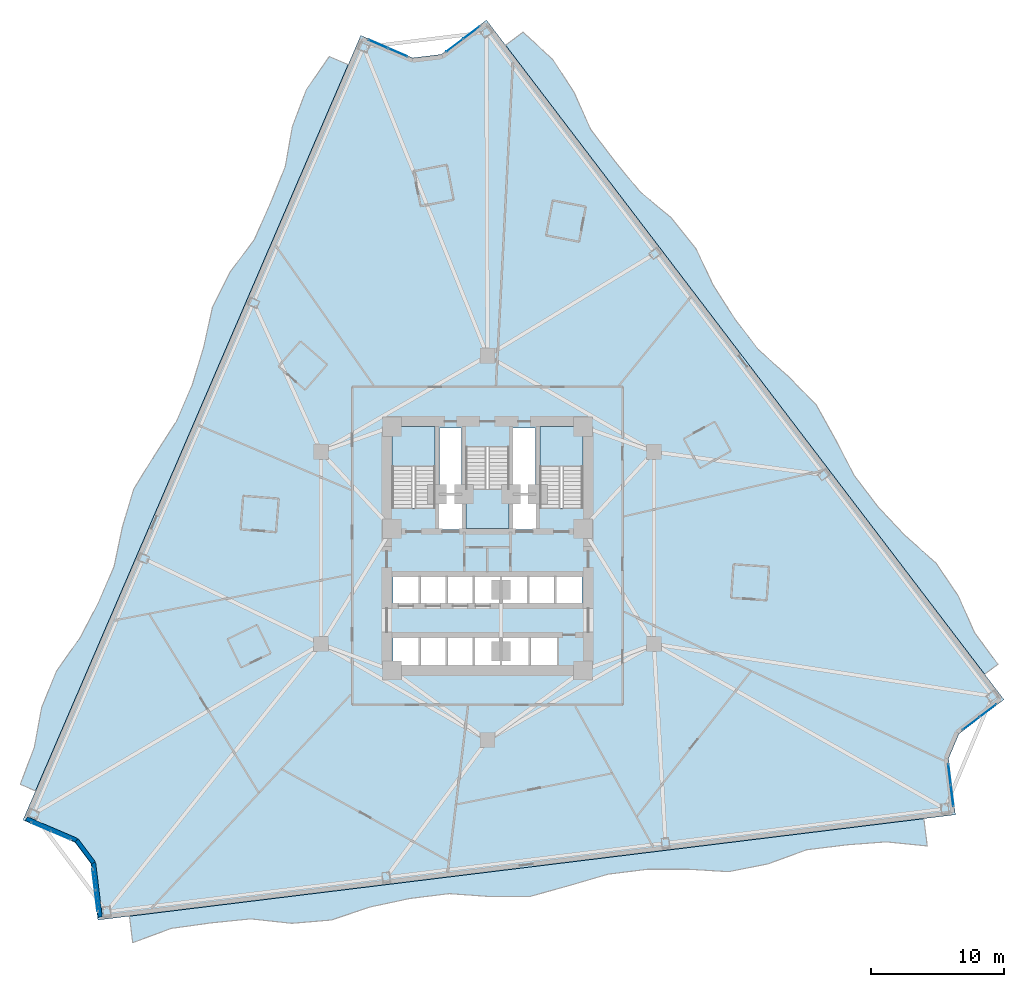
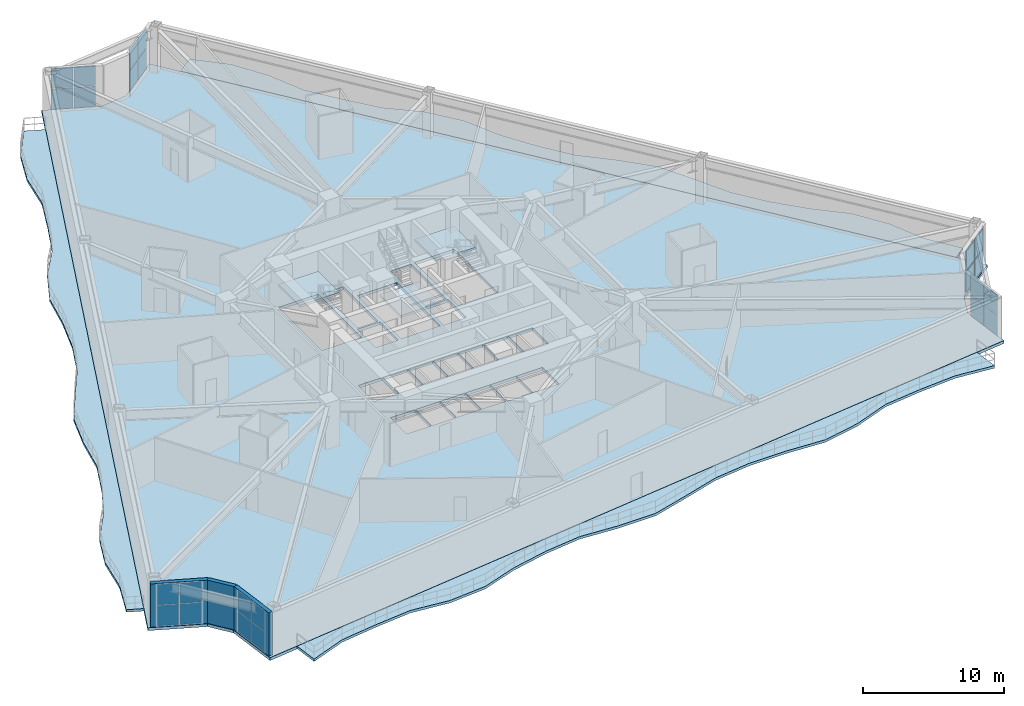
# One storey, part 6 of 17: 24 plates, 7 slabs, 3 walls, 9 elements without a shape of their own.
"""IFC4 building model written with IfcOpenShell, lengths in metres."""

from ifc_helpers import new_model, si_unit, direction, frame, frame_2d, origin, origin_2d, place, context, subcontext, project, spatial, polyline, rectangle, outline, extrude, material, layer, layer_set, type_object, element, aggregate, save


model = new_model("IFC4")

# Units and contexts
model_context = context("Model", 3, precision=1e-05, world=origin(), true_north=direction((0.0, 1.0)))
body_context = subcontext(model_context, "Body", "Model", "MODEL_VIEW")
ifc_project = project(units=[si_unit("LENGTHUNIT", "METRE"), si_unit("AREAUNIT", "SQUARE_METRE"), si_unit("VOLUMEUNIT", "CUBIC_METRE"), si_unit("PLANEANGLEUNIT", "RADIAN"), si_unit("MASSUNIT", "GRAM", prefix="KILO")], contexts=[model_context])

# Site, building, storey
site_placement = place(None, origin())
site = spatial("IfcSite", under=ifc_project, at=site_placement, CompositionType="ELEMENT")
building_placement = place(site_placement, origin())
building = spatial("IfcBuilding", under=site, at=building_placement, Name="Apsidion Concourse Tower", CompositionType="ELEMENT")
storey_placement = place(building_placement, frame((0.0, 0.0, 75.0)))
storey = spatial("IfcBuildingStorey", under=building, at=storey_placement, Name="L16", CompositionType="ELEMENT", Elevation=75.0)

# Curtain wall, plates
ifc_material_1 = material(Name="Insulated laminated low-E glass", Category="glass")
ifc_layer_1 = layer(ifc_material_1, 0.219970703125)
ifc_layer_set_1 = layer_set([ifc_layer_1], Name="Insulated laminated low-E glass")
curtain_wall_type = type_object("IfcCurtainWallType", Name="CW-SYS-04", PredefinedType="NOTDEFINED", material=ifc_layer_set_1)
curtain_wall_1_placement = place(storey_placement, origin())
curtain_wall_1 = element("IfcCurtainWall", 1, at=curtain_wall_1_placement, inside=storey, type_object=curtain_wall_type, Name="L16 Corner Lounge Box Curtain Wall 2", PredefinedType="NOTDEFINED")
ifc_layer_2 = layer(ifc_material_1, 0.031982421875)
ifc_layer_set_2 = layer_set([ifc_layer_2], Name="Insulated laminated low-E glass")
plate_type = type_object("IfcPlateType", Name="CWP-GLZ-32", PredefinedType="CURTAIN_PANEL", material=ifc_layer_set_2)
plate_1_placement = place(storey_placement, frame((37.77685546875, -12.270263671875, 0.06494140625), z_axis=(0.0, 0.0, 1.0), x_axis=(-0.795556126473, -0.605879897035, 0.0)))
plate_1 = element("IfcPlate", 2, at=plate_1_placement, type_object=plate_type, Name="CW-04 panel 1.1", PredefinedType="CURTAIN_PANEL", context=body_context, shape_type="SweptSolid", body=[
    extrude(rectangle(XDim=1.5537109375, YDim=0.031982421875, at=origin_2d()), origin(), (0.0, 0.0, 1.0), 1.75244140625),
])
plate_2_placement = place(storey_placement, frame((37.77685546875, -12.270263671875, 1.882568359375), z_axis=(0.0, 0.0, 1.0), x_axis=(-0.795556126473, -0.605879897035, 0.0)))
plate_2 = element("IfcPlate", 3, at=plate_2_placement, type_object=plate_type, Name="CW-04 panel 1.2", PredefinedType="CURTAIN_PANEL", context=body_context, shape_type="SweptSolid", body=[
    extrude(rectangle(XDim=1.5537109375, YDim=0.031982421875, at=origin_2d()), origin(), (0.0, 0.0, 1.0), 1.75244140625),
])
plate_3_placement = place(storey_placement, frame((36.489013671875, -13.251220703125, 0.06494140625), z_axis=(0.0, 0.0, 1.0), x_axis=(-0.795556126473, -0.605879897035, 0.0)))
plate_3 = element("IfcPlate", 4, at=plate_3_placement, type_object=plate_type, Name="CW-04 panel 2.1", PredefinedType="CURTAIN_PANEL", context=body_context, shape_type="SweptSolid", body=[
    extrude(rectangle(XDim=1.5537109375, YDim=0.031982421875, at=origin_2d()), origin(), (0.0, 0.0, 1.0), 1.75244140625),
])
plate_4_placement = place(storey_placement, frame((36.489013671875, -13.251220703125, 1.882568359375), z_axis=(0.0, 0.0, 1.0), x_axis=(-0.795556126473, -0.605879897035, 0.0)))
plate_4 = element("IfcPlate", 5, at=plate_4_placement, type_object=plate_type, Name="CW-04 panel 2.2", PredefinedType="CURTAIN_PANEL", context=body_context, shape_type="SweptSolid", body=[
    extrude(rectangle(XDim=1.5537109375, YDim=0.031982421875, at=origin_2d()), origin(), (0.0, 0.0, 1.0), 1.75244140625),
])
aggregate(curtain_wall_1, [plate_1, plate_2, plate_3, plate_4])

curtain_wall_2_placement = place(storey_placement, origin())
curtain_wall_2 = element("IfcCurtainWall", 6, at=curtain_wall_2_placement, inside=storey, type_object=curtain_wall_type, Name="L16 Corner Lounge Box Curtain Wall 4", PredefinedType="NOTDEFINED")
plate_5_placement = place(storey_placement, frame((34.86962890625, -17.09326171875, 0.06494140625), z_axis=(0.0, 0.0, 1.0), x_axis=(0.121876648162, -0.992545254703, 0.0)))
plate_5 = element("IfcPlate", 7, at=plate_5_placement, type_object=plate_type, Name="CW-04 panel 1.1", PredefinedType="CURTAIN_PANEL", context=body_context, shape_type="SweptSolid", body=[
    extrude(rectangle(XDim=1.5537109375, YDim=0.031982421875, at=origin_2d()), origin(), (0.0, 0.0, 1.0), 1.75244140625),
])
plate_6_placement = place(storey_placement, frame((34.86962890625, -17.09326171875, 1.882568359375), z_axis=(0.0, 0.0, 1.0), x_axis=(0.121876648162, -0.992545254703, 0.0)))
plate_6 = element("IfcPlate", 8, at=plate_6_placement, type_object=plate_type, Name="CW-04 panel 1.2", PredefinedType="CURTAIN_PANEL", context=body_context, shape_type="SweptSolid", body=[
    extrude(rectangle(XDim=1.5537109375, YDim=0.031982421875, at=origin_2d()), origin(), (0.0, 0.0, 1.0), 1.75244140625),
])
plate_7_placement = place(storey_placement, frame((35.06689453125, -18.699951171875, 0.06494140625), z_axis=(0.0, 0.0, 1.0), x_axis=(0.121876648162, -0.992545254703, 0.0)))
plate_7 = element("IfcPlate", 9, at=plate_7_placement, type_object=plate_type, Name="CW-04 panel 2.1", PredefinedType="CURTAIN_PANEL", context=body_context, shape_type="SweptSolid", body=[
    extrude(rectangle(XDim=1.5537109375, YDim=0.031982421875, at=origin_2d()), origin(), (0.0, 0.0, 1.0), 1.75244140625),
])
plate_8_placement = place(storey_placement, frame((35.06689453125, -18.699951171875, 1.882568359375), z_axis=(0.0, 0.0, 1.0), x_axis=(0.121876648162, -0.992545254703, 0.0)))
plate_8 = element("IfcPlate", 10, at=plate_8_placement, type_object=plate_type, Name="CW-04 panel 2.2", PredefinedType="CURTAIN_PANEL", context=body_context, shape_type="SweptSolid", body=[
    extrude(rectangle(XDim=1.5537109375, YDim=0.031982421875, at=origin_2d()), origin(), (0.0, 0.0, 1.0), 1.75244140625),
])
aggregate(curtain_wall_2, [plate_5, plate_6, plate_7, plate_8])

curtain_wall_3_placement = place(storey_placement, origin())
curtain_wall_3 = element("IfcCurtainWall", 11, at=curtain_wall_3_placement, inside=storey, type_object=curtain_wall_type, Name="L16 Corner Lounge Box Curtain Wall 6", PredefinedType="NOTDEFINED")
plate_9_placement = place(storey_placement, frame((-29.50146484375, -26.6279296875, 0.06494140625), z_axis=(0.0, 0.0, 1.0), x_axis=(-0.121880311182, 0.992544804906, 0.0)))
plate_9 = element("IfcPlate", 12, at=plate_9_placement, type_object=plate_type, Name="CW-04 panel 1.1", PredefinedType="CURTAIN_PANEL", context=body_context, shape_type="SweptSolid", body=[
    extrude(rectangle(XDim=1.5537109375, YDim=0.031982421875, at=origin_2d()), origin(), (0.0, 0.0, 1.0), 1.75244140625),
])
plate_10_placement = place(storey_placement, frame((-29.50146484375, -26.6279296875, 1.882568359375), z_axis=(0.0, 0.0, 1.0), x_axis=(-0.121880311182, 0.992544804906, 0.0)))
plate_10 = element("IfcPlate", 13, at=plate_10_placement, type_object=plate_type, Name="CW-04 panel 1.2", PredefinedType="CURTAIN_PANEL", context=body_context, shape_type="SweptSolid", body=[
    extrude(rectangle(XDim=1.5537109375, YDim=0.031982421875, at=origin_2d()), origin(), (0.0, 0.0, 1.0), 1.75244140625),
])
plate_11_placement = place(storey_placement, frame((-29.69873046875, -25.021240234375, 0.06494140625), z_axis=(0.0, 0.0, 1.0), x_axis=(-0.121880311182, 0.992544804906, 0.0)))
plate_11 = element("IfcPlate", 14, at=plate_11_placement, type_object=plate_type, Name="CW-04 panel 2.1", PredefinedType="CURTAIN_PANEL", context=body_context, shape_type="SweptSolid", body=[
    extrude(rectangle(XDim=1.5537109375, YDim=0.031982421875, at=origin_2d()), origin(), (0.0, 0.0, 1.0), 1.75244140625),
])
plate_12_placement = place(storey_placement, frame((-29.69873046875, -25.021240234375, 1.882568359375), z_axis=(0.0, 0.0, 1.0), x_axis=(-0.121880311182, 0.992544804906, 0.0)))
plate_12 = element("IfcPlate", 15, at=plate_12_placement, type_object=plate_type, Name="CW-04 panel 2.2", PredefinedType="CURTAIN_PANEL", context=body_context, shape_type="SweptSolid", body=[
    extrude(rectangle(XDim=1.5537109375, YDim=0.031982421875, at=origin_2d()), origin(), (0.0, 0.0, 1.0), 1.75244140625),
])
aggregate(curtain_wall_3, [plate_9, plate_10, plate_11, plate_12])

curtain_wall_4_placement = place(storey_placement, origin())
curtain_wall_4 = element("IfcCurtainWall", 16, at=curtain_wall_4_placement, inside=storey, type_object=curtain_wall_type, Name="L16 Corner Lounge Box Curtain Wall 8", PredefinedType="NOTDEFINED")
plate_13_placement = place(storey_placement, frame((-32.199462890625, -21.68505859375, 0.06494140625), z_axis=(0.0, 0.0, 1.0), x_axis=(-0.918495366569, 0.395431740748, 0.0)))
plate_13 = element("IfcPlate", 17, at=plate_13_placement, type_object=plate_type, Name="CW-04 panel 1.1", PredefinedType="CURTAIN_PANEL", context=body_context, shape_type="SweptSolid", body=[
    extrude(rectangle(XDim=1.5537109375, YDim=0.031982421875, at=origin_2d()), origin(), (0.0, 0.0, 1.0), 1.75244140625),
])
plate_14_placement = place(storey_placement, frame((-32.199462890625, -21.68505859375, 1.882568359375), z_axis=(0.0, 0.0, 1.0), x_axis=(-0.918495366569, 0.395431740748, 0.0)))
plate_14 = element("IfcPlate", 18, at=plate_14_placement, type_object=plate_type, Name="CW-04 panel 1.2", PredefinedType="CURTAIN_PANEL", context=body_context, shape_type="SweptSolid", body=[
    extrude(rectangle(XDim=1.5537109375, YDim=0.031982421875, at=origin_2d()), origin(), (0.0, 0.0, 1.0), 1.75244140625),
])
plate_15_placement = place(storey_placement, frame((-33.686279296875, -21.044921875, 0.06494140625), z_axis=(0.0, 0.0, 1.0), x_axis=(-0.918495366569, 0.395431740748, 0.0)))
plate_15 = element("IfcPlate", 19, at=plate_15_placement, type_object=plate_type, Name="CW-04 panel 2.1", PredefinedType="CURTAIN_PANEL", context=body_context, shape_type="SweptSolid", body=[
    extrude(rectangle(XDim=1.5537109375, YDim=0.031982421875, at=origin_2d()), origin(), (0.0, 0.0, 1.0), 1.75244140625),
])
plate_16_placement = place(storey_placement, frame((-33.686279296875, -21.044921875, 1.882568359375), z_axis=(0.0, 0.0, 1.0), x_axis=(-0.918495366569, 0.395431740748, 0.0)))
plate_16 = element("IfcPlate", 20, at=plate_16_placement, type_object=plate_type, Name="CW-04 panel 2.2", PredefinedType="CURTAIN_PANEL", context=body_context, shape_type="SweptSolid", body=[
    extrude(rectangle(XDim=1.5537109375, YDim=0.031982421875, at=origin_2d()), origin(), (0.0, 0.0, 1.0), 1.75244140625),
])
aggregate(curtain_wall_4, [plate_13, plate_14, plate_15, plate_16])

curtain_wall_5_placement = place(storey_placement, origin())
curtain_wall_5 = element("IfcCurtainWall", 21, at=curtain_wall_5_placement, inside=storey, type_object=curtain_wall_type, Name="L16 Corner Lounge Box Curtain Wall 10", PredefinedType="NOTDEFINED")
plate_17_placement = place(storey_placement, frame((-8.25341796875, 38.031494140625, 0.06494140625), z_axis=(0.0, 0.0, 1.0), x_axis=(0.918517506479, -0.395380310955, 0.0)))
plate_17 = element("IfcPlate", 22, at=plate_17_placement, type_object=plate_type, Name="CW-04 panel 1.1", PredefinedType="CURTAIN_PANEL", context=body_context, shape_type="SweptSolid", body=[
    extrude(rectangle(XDim=1.553955078125, YDim=0.031982421875, at=origin_2d()), origin(), (0.0, 0.0, 1.0), 1.75244140625),
])
plate_18_placement = place(storey_placement, frame((-8.25341796875, 38.031494140625, 1.882568359375), z_axis=(0.0, 0.0, 1.0), x_axis=(0.918517506479, -0.395380310955, 0.0)))
plate_18 = element("IfcPlate", 23, at=plate_18_placement, type_object=plate_type, Name="CW-04 panel 1.2", PredefinedType="CURTAIN_PANEL", context=body_context, shape_type="SweptSolid", body=[
    extrude(rectangle(XDim=1.553955078125, YDim=0.031982421875, at=origin_2d()), origin(), (0.0, 0.0, 1.0), 1.75244140625),
])
plate_19_placement = place(storey_placement, frame((-6.766357421875, 37.391357421875, 0.06494140625), z_axis=(0.0, 0.0, 1.0), x_axis=(0.918517506479, -0.395380310955, 0.0)))
plate_19 = element("IfcPlate", 24, at=plate_19_placement, type_object=plate_type, Name="CW-04 panel 2.1", PredefinedType="CURTAIN_PANEL", context=body_context, shape_type="SweptSolid", body=[
    extrude(rectangle(XDim=1.553955078125, YDim=0.031982421875, at=origin_2d()), origin(), (0.0, 0.0, 1.0), 1.75244140625),
])
plate_20_placement = place(storey_placement, frame((-6.766357421875, 37.391357421875, 1.882568359375), z_axis=(0.0, 0.0, 1.0), x_axis=(0.918517506479, -0.395380310955, 0.0)))
plate_20 = element("IfcPlate", 25, at=plate_20_placement, type_object=plate_type, Name="CW-04 panel 2.2", PredefinedType="CURTAIN_PANEL", context=body_context, shape_type="SweptSolid", body=[
    extrude(rectangle(XDim=1.553955078125, YDim=0.031982421875, at=origin_2d()), origin(), (0.0, 0.0, 1.0), 1.75244140625),
])
aggregate(curtain_wall_5, [plate_17, plate_18, plate_19, plate_20])

curtain_wall_6_placement = place(storey_placement, origin())
curtain_wall_6 = element("IfcCurtainWall", 26, at=curtain_wall_6_placement, inside=storey, type_object=curtain_wall_type, Name="L16 Corner Lounge Box Curtain Wall 12", PredefinedType="NOTDEFINED")
plate_21_placement = place(storey_placement, frame((-2.48046875, 37.91748046875, 0.06494140625), z_axis=(0.0, 0.0, 1.0), x_axis=(0.795564436457, 0.605868985379, 0.0)))
plate_21 = element("IfcPlate", 27, at=plate_21_placement, type_object=plate_type, Name="CW-04 panel 1.1", PredefinedType="CURTAIN_PANEL", context=body_context, shape_type="SweptSolid", body=[
    extrude(rectangle(XDim=1.55419921875, YDim=0.031982421875, at=origin_2d()), origin(), (0.0, 0.0, 1.0), 1.75244140625),
])
plate_22_placement = place(storey_placement, frame((-2.48046875, 37.91748046875, 1.882568359375), z_axis=(0.0, 0.0, 1.0), x_axis=(0.795564436457, 0.605868985379, 0.0)))
plate_22 = element("IfcPlate", 28, at=plate_22_placement, type_object=plate_type, Name="CW-04 panel 1.2", PredefinedType="CURTAIN_PANEL", context=body_context, shape_type="SweptSolid", body=[
    extrude(rectangle(XDim=1.55419921875, YDim=0.031982421875, at=origin_2d()), origin(), (0.0, 0.0, 1.0), 1.75244140625),
])
plate_23_placement = place(storey_placement, frame((-1.1923828125, 38.8984375, 0.06494140625), z_axis=(0.0, 0.0, 1.0), x_axis=(0.795564436457, 0.605868985379, 0.0)))
plate_23 = element("IfcPlate", 29, at=plate_23_placement, type_object=plate_type, Name="CW-04 panel 2.1", PredefinedType="CURTAIN_PANEL", context=body_context, shape_type="SweptSolid", body=[
    extrude(rectangle(XDim=1.55419921875, YDim=0.031982421875, at=origin_2d()), origin(), (0.0, 0.0, 1.0), 1.75244140625),
])
plate_24_placement = place(storey_placement, frame((-1.1923828125, 38.8984375, 1.882568359375), z_axis=(0.0, 0.0, 1.0), x_axis=(0.795564436457, 0.605868985379, 0.0)))
plate_24 = element("IfcPlate", 30, at=plate_24_placement, type_object=plate_type, Name="CW-04 panel 2.2", PredefinedType="CURTAIN_PANEL", context=body_context, shape_type="SweptSolid", body=[
    extrude(rectangle(XDim=1.55419921875, YDim=0.031982421875, at=origin_2d()), origin(), (0.0, 0.0, 1.0), 1.75244140625),
])
aggregate(curtain_wall_6, [plate_21, plate_22, plate_23, plate_24])

# Slabs
ifc_material_2 = material(Name="Concrete C50/60", Category="concrete")
ifc_layer_3 = layer(ifc_material_2, 0.219970703125)
ifc_layer_set_3 = layer_set([ifc_layer_3], Name="Concrete C50/60")
slab_type_1 = type_object("IfcSlabType", Name="SL-BAL-220", PredefinedType="FLOOR", material=ifc_layer_set_3)
slab_1_placement = place(storey_placement, frame((0.0, 0.0, -0.219970703125)))
element("IfcSlab", 31, at=slab_1_placement, inside=storey, type_object=slab_type_1, Name="L16 Face 1 Rippling Balcony Slab", PredefinedType="FLOOR", context=body_context, shape_type="SweptSolid", body=[
    extrude(outline(polyline([(-10.510986328125, 36.466796875), (-11.690673828125, 33.726806640625), (-12.8701171875, 30.987060546875), (-14.049560546875, 28.247314453125), (-15.22900390625, 25.50732421875), (-16.40869140625, 22.767578125), (-17.588134765625, 20.02783203125), (-18.767578125, 17.2880859375), (-19.947021484375, 14.548095703125), (-21.126708984375, 11.808349609375), (-22.30615234375, 9.068603515625), (-23.485595703125, 6.32861328125), (-24.6650390625, 3.5888671875), (-25.844482421875, 0.84912109375), (-27.024169921875, -1.890869140625), (-28.20361328125, -4.630615234375), (-29.383056640625, -7.370361328125), (-30.5625, -10.110107421875), (-31.7421875, -12.85009765625), (-32.921630859375, -15.58984375), (-34.10107421875, -18.32958984375), (-35.249267578125, -17.83544921875), (-34.188720703125, -15.04443359375), (-33.6357421875, -12.034912109375), (-32.50830078125, -9.272705078125), (-30.742919921875, -6.784912109375), (-29.351806640625, -4.13623046875), (-28.172119140625, -1.396484375), (-27.5439453125, 1.58056640625), (-26.683837890625, 4.4580078125), (-25.096435546875, 7.022216796875), (-23.4541015625, 9.562744140625), (-22.274658203125, 12.302490234375), (-21.40283203125, 15.1748046875), (-20.7529296875, 18.142578125), (-19.41650390625, 20.81494140625), (-17.58544921875, 23.274169921875), (-16.377197265625, 26.001708984375), (-15.255859375, 28.7666015625), (-14.7216796875, 31.7841796875), (-13.664306640625, 34.57666015625), (-11.934814453125, 37.07958984375), (-10.510986328125, 36.466796875)])), origin(), (0.0, 0.0, 1.0), 0.219970703125),
])
slab_2_placement = place(storey_placement, frame((0.0, 0.0, -0.219970703125)))
element("IfcSlab", 32, at=slab_2_placement, inside=storey, type_object=slab_type_1, Name="L16 Face 2 Rippling Balcony Slab", PredefinedType="FLOOR", context=body_context, shape_type="SweptSolid", body=[
    extrude(outline(polyline([(-27.01171875, -27.78759765625), (-24.014404296875, -27.419677734375), (-21.017333984375, -27.0517578125), (-18.02001953125, -26.68359375), (-15.02294921875, -26.315673828125), (-12.02587890625, -25.94775390625), (-9.028564453125, -25.57958984375), (-6.031494140625, -25.211669921875), (-3.0341796875, -24.84375), (-0.037109375, -24.4755859375), (2.9599609375, -24.107666015625), (5.957275390625, -23.73974609375), (8.954345703125, -23.37158203125), (11.951416015625, -23.003662109375), (14.94873046875, -22.6357421875), (17.94580078125, -22.267578125), (20.943115234375, -21.899658203125), (23.940185546875, -21.53173828125), (26.9375, -21.163818359375), (29.9345703125, -20.795654296875), (32.931640625, -20.427734375), (33.1845703125, -22.487060546875), (30.10400390625, -22.177001953125), (27.089599609375, -22.404296875), (24.092529296875, -22.7724609375), (21.1806640625, -23.834716796875), (18.2109375, -24.4267578125), (15.146240234375, -24.243896484375), (12.10400390625, -24.244384765625), (9.106689453125, -24.6123046875), (6.170166015625, -25.4736328125), (3.227783203125, -26.289306640625), (0.18701171875, -26.3017578125), (-2.8818359375, -26.08447265625), (-5.879150390625, -26.452392578125), (-8.843505859375, -27.08837890625), (-11.764892578125, -28.072265625), (-14.7763671875, -28.32421875), (-17.85986328125, -27.989013671875), (-20.864990234375, -28.29248046875), (-23.8564453125, -28.706787109375), (-26.7666015625, -29.782470703125), (-27.01171875, -27.78759765625)])), origin(), (0.0, 0.0, 1.0), 0.219970703125),
])
slab_3_placement = place(storey_placement, frame((0.0, 0.0, -0.219970703125)))
element("IfcSlab", 33, at=slab_3_placement, inside=storey, type_object=slab_type_1, Name="L16 Face 3 Rippling Balcony Slab", PredefinedType="FLOOR", context=body_context, shape_type="SweptSolid", body=[
    extrude(outline(polyline([(37.5224609375, -9.535400390625), (35.715087890625, -7.162353515625), (33.907958984375, -4.789306640625), (32.1005859375, -2.416015625), (30.29345703125, -0.04296875), (28.486083984375, 2.330078125), (26.6787109375, 4.703125), (24.87158203125, 7.076171875), (23.064208984375, 9.44921875), (21.2568359375, 11.822509765625), (19.44970703125, 14.195556640625), (17.642333984375, 16.568603515625), (15.835205078125, 18.941650390625), (14.02783203125, 21.314697265625), (12.220458984375, 23.687744140625), (10.4130859375, 26.060791015625), (8.60595703125, 28.43408203125), (6.798583984375, 30.80712890625), (4.991455078125, 33.18017578125), (3.18408203125, 35.55322265625), (1.376708984375, 37.926513671875), (2.67919921875, 38.918212890625), (4.916259765625, 36.872314453125), (6.54345703125, 34.3623046875), (7.793212890625, 31.564453125), (9.600341796875, 29.19140625), (11.497314453125, 26.88671875), (13.85205078125, 24.930419921875), (15.719482421875, 22.603271484375), (17.026611328125, 19.84912109375), (18.63671875, 17.325927734375), (20.444091796875, 14.952880859375), (22.71630859375, 12.933837890625), (24.813720703125, 10.78173828125), (26.27978515625, 8.148681640625), (27.673095703125, 5.46044921875), (29.48046875, 3.08740234375), (31.540283203125, 0.90673828125), (33.8154296875, -1.110107421875), (35.501708984375, -3.575439453125), (36.747314453125, -6.376220703125), (38.516845703125, -8.778076171875), (37.5224609375, -9.535400390625)])), origin(), (0.0, 0.0, 1.0), 0.219970703125),
])
ifc_layer_4 = layer(ifc_material_2, 0.25)
ifc_layer_set_4 = layer_set([ifc_layer_4], Name="Concrete C50/60")
slab_type_2 = type_object("IfcSlabType", Name="SL-FLR-250", PredefinedType="FLOOR", material=ifc_layer_set_4)
slab_4_placement = place(storey_placement, frame((0.0, 0.0, -0.25)))
element("IfcSlab", 34, at=slab_4_placement, inside=storey, type_object=slab_type_2, Name="L16 Structural Floor Slab", PredefinedType="FLOOR", context=body_context, shape_type="SweptSolid", body=[
    extrude(outline(polyline([(-0.077392578125, 39.835693359375), (-3.478271484375, 37.24560546875), (-5.6357421875, 36.980712890625), (-9.56201171875, 38.671142578125), (-35.050048828125, -20.5341796875), (-31.123779296875, -22.224365234375), (-29.914794921875, -23.83740234375), (-29.393798828125, -28.080078125), (35.313720703125, -20.13525390625), (34.792724609375, -15.89208984375), (35.57568359375, -14.03466796875), (38.9765625, -11.444580078125), (-0.077392578125, 39.835693359375)]), holes=[polyline([(-3.949951171875, 3.0), (-3.949951171875, 9.14990234375), (-7.199951171875, 9.14990234375), (-7.199951171875, 3.0), (-3.949951171875, 3.0)]), polyline([(7.199951171875, 3.0), (7.199951171875, 9.14990234375), (3.949951171875, 9.14990234375), (3.949951171875, 3.0), (7.199951171875, 3.0)]), polyline([(-1.625, 7.60009765625), (-1.625, 1.449951171875), (1.625, 1.449951171875), (1.625, 7.60009765625), (-1.625, 7.60009765625)]), polyline([(-7.14501953125, -4.300048828125), (-5.155029296875, -4.300048828125), (-5.155029296875, -2.050048828125), (-7.14501953125, -2.050048828125), (-7.14501953125, -4.300048828125)]), polyline([(-5.094970703125, -4.300048828125), (-3.10498046875, -4.300048828125), (-3.10498046875, -2.050048828125), (-5.094970703125, -2.050048828125), (-5.094970703125, -4.300048828125)]), polyline([(-3.044921875, -4.300048828125), (-1.054931640625, -4.300048828125), (-1.054931640625, -2.050048828125), (-3.044921875, -2.050048828125), (-3.044921875, -4.300048828125)]), polyline([(-0.9951171875, -4.300048828125), (0.9951171875, -4.300048828125), (0.9951171875, -2.050048828125), (-0.9951171875, -2.050048828125), (-0.9951171875, -4.300048828125)]), polyline([(1.054931640625, -4.300048828125), (3.044921875, -4.300048828125), (3.044921875, -2.050048828125), (1.054931640625, -2.050048828125), (1.054931640625, -4.300048828125)]), polyline([(3.10498046875, -4.300048828125), (5.094970703125, -4.300048828125), (5.094970703125, -2.050048828125), (3.10498046875, -2.050048828125), (3.10498046875, -4.300048828125)]), polyline([(5.155029296875, -4.300048828125), (7.14501953125, -4.300048828125), (7.14501953125, -2.050048828125), (5.155029296875, -2.050048828125), (5.155029296875, -4.300048828125)]), polyline([(-7.14501953125, -8.949951171875), (-5.155029296875, -8.949951171875), (-5.155029296875, -6.64990234375), (-7.14501953125, -6.64990234375), (-7.14501953125, -8.949951171875)]), polyline([(-5.094970703125, -8.949951171875), (-3.10498046875, -8.949951171875), (-3.10498046875, -6.64990234375), (-5.094970703125, -6.64990234375), (-5.094970703125, -8.949951171875)]), polyline([(-3.044921875, -8.949951171875), (-1.054931640625, -8.949951171875), (-1.054931640625, -6.64990234375), (-3.044921875, -6.64990234375), (-3.044921875, -8.949951171875)]), polyline([(-0.9951171875, -8.949951171875), (0.9951171875, -8.949951171875), (0.9951171875, -6.64990234375), (-0.9951171875, -6.64990234375), (-0.9951171875, -8.949951171875)]), polyline([(1.044921875, -9.0), (3.155029296875, -9.0), (3.155029296875, -6.64990234375), (1.044921875, -6.64990234375), (1.044921875, -9.0)]), polyline([(3.195068359375, -9.0), (5.304931640625, -9.0), (5.304931640625, -6.64990234375), (3.195068359375, -6.64990234375), (3.195068359375, -9.0)]), polyline([(-3.7099609375, 1.39990234375), (-1.85009765625, 1.39990234375), (-1.85009765625, 4.0), (-3.7099609375, 4.0), (-3.7099609375, 1.39990234375)]), polyline([(1.85009765625, 1.39990234375), (3.7099609375, 1.39990234375), (3.7099609375, 4.0), (1.85009765625, 4.0), (1.85009765625, 1.39990234375)]), polyline([(-3.6201171875, 4.14990234375), (-1.93994140625, 4.14990234375), (-1.93994140625, 9.050048828125), (-3.6201171875, 9.050048828125), (-3.6201171875, 4.14990234375)]), polyline([(1.93994140625, 4.14990234375), (3.6201171875, 4.14990234375), (3.6201171875, 9.050048828125), (1.93994140625, 9.050048828125), (1.93994140625, 4.14990234375)])]), origin(), (0.0, 0.0, 1.0), 0.25),
])

# Stair, slab
ifc_material_3 = material(Name="Precast concrete C40/50", Category="concrete")
stair_type = type_object("IfcStairType", Name="ST-DL-1550", PredefinedType="HALF_TURN_STAIR", material=ifc_material_3)
stair_1_placement = place(storey_placement, origin())
stair_1 = element("IfcStair", 35, at=stair_1_placement, inside=storey, type_object=stair_type, Name="L16 Protected Core Exit Stair ST1", PredefinedType="HALF_TURN_STAIR")
ifc_layer_5 = layer(ifc_material_2, 0.199951171875)
ifc_layer_set_5 = layer_set([ifc_layer_5], Name="Concrete C50/60")
slab_type_3 = type_object("IfcSlabType", Name="SL-ST-LAND-200", PredefinedType="LANDING", material=ifc_layer_set_5)
slab_5_placement = place(storey_placement, frame((0.0, 0.0, 1.800048828125)))
slab_5 = element("IfcSlab", 36, at=slab_5_placement, type_object=slab_type_3, Name="ST1 landing 1", PredefinedType="LANDING", context=body_context, shape_type="SweptSolid", body=[
    extrude(outline(polyline([(-3.949951171875, 6.135009765625), (-3.949951171875, 9.14990234375), (-7.199951171875, 9.14990234375), (-7.199951171875, 6.135009765625), (-3.949951171875, 6.135009765625)])), origin(), (0.0, 0.0, 1.0), 0.199951171875),
])
aggregate(stair_1, [slab_5])

stair_2_placement = place(storey_placement, origin())
stair_2 = element("IfcStair", 37, at=stair_2_placement, inside=storey, type_object=stair_type, Name="L16 Protected Core Exit Stair ST2", PredefinedType="HALF_TURN_STAIR")
slab_6_placement = place(storey_placement, frame((0.0, 0.0, 1.800048828125)))
slab_6 = element("IfcSlab", 38, at=slab_6_placement, type_object=slab_type_3, Name="ST2 landing 1", PredefinedType="LANDING", context=body_context, shape_type="SweptSolid", body=[
    extrude(outline(polyline([(7.199951171875, 6.135009765625), (7.199951171875, 9.14990234375), (3.949951171875, 9.14990234375), (3.949951171875, 6.135009765625), (7.199951171875, 6.135009765625)])), origin(), (0.0, 0.0, 1.0), 0.199951171875),
])
aggregate(stair_2, [slab_6])

stair_3_placement = place(storey_placement, origin())
stair_3 = element("IfcStair", 39, at=stair_3_placement, inside=storey, type_object=stair_type, Name="L16 Protected Core Exit Stair ST3", PredefinedType="HALF_TURN_STAIR")
slab_7_placement = place(storey_placement, frame((0.0, 0.0, 1.800048828125)))
slab_7 = element("IfcSlab", 40, at=slab_7_placement, type_object=slab_type_3, Name="ST3 landing 1", PredefinedType="LANDING", context=body_context, shape_type="SweptSolid", body=[
    extrude(outline(polyline([(-1.625, 4.465087890625), (-1.625, 1.449951171875), (1.625, 1.449951171875), (1.625, 4.465087890625), (-1.625, 4.465087890625)])), origin(), (0.0, 0.0, 1.0), 0.199951171875),
])
aggregate(stair_3, [slab_7])

# Walls
ifc_layer_6 = layer(ifc_material_3, 0.320068359375)
ifc_layer_set_6 = layer_set([ifc_layer_6], Name="Precast concrete C40/50")
wall_type = type_object("IfcWallType", Name="WL-EXT-320", PredefinedType="STANDARD", material=ifc_layer_set_6)
wall_1_placement = place(storey_placement, frame((-29.219482421875, -27.857421875, 0.0), z_axis=(0.0, 0.0, 1.0), x_axis=(-0.121887213021, 0.992543957365, 0.0)))
element("IfcWall", 41, at=wall_1_placement, inside=storey, type_object=wall_type, Name="L16 Precast Stone Facade Wall 06", PredefinedType="STANDARD", context=body_context, shape_type="SweptSolid", body=[
    extrude(rectangle(XDim=4.128173828125, YDim=0.320068359375, at=frame_2d((2.06396484375, 0.0))), origin(), (0.0, 0.0, 1.0), 3.75),
])
wall_2_placement = place(storey_placement, frame((-29.72265625, -23.760009765625, 0.0), z_axis=(0.0, 0.0, 1.0), x_axis=(-0.59977911486, 0.800165616218, 0.0)))
element("IfcWall", 42, at=wall_2_placement, inside=storey, type_object=wall_type, Name="L16 Precast Stone Facade Wall 07", PredefinedType="STANDARD", context=body_context, shape_type="SweptSolid", body=[
    extrude(rectangle(XDim=2.122314453125, YDim=0.320068359375, at=frame_2d((1.06103515625, 0.0))), origin(), (0.0, 0.0, 1.0), 3.75),
])
wall_3_placement = place(storey_placement, frame((-30.99560546875, -22.061767578125, 0.0), z_axis=(0.0, 0.0, 1.0), x_axis=(-0.918504494871, 0.395410537165, 0.0)))
element("IfcWall", 43, at=wall_3_placement, inside=storey, type_object=wall_type, Name="L16 Precast Stone Facade Wall 08", PredefinedType="STANDARD", context=body_context, shape_type="SweptSolid", body=[
    extrude(rectangle(XDim=4.128173828125, YDim=0.320068359375, at=frame_2d((2.06396484375, 0.0))), origin(), (0.0, 0.0, 1.0), 3.75),
])

save(model, "model.ifc")
